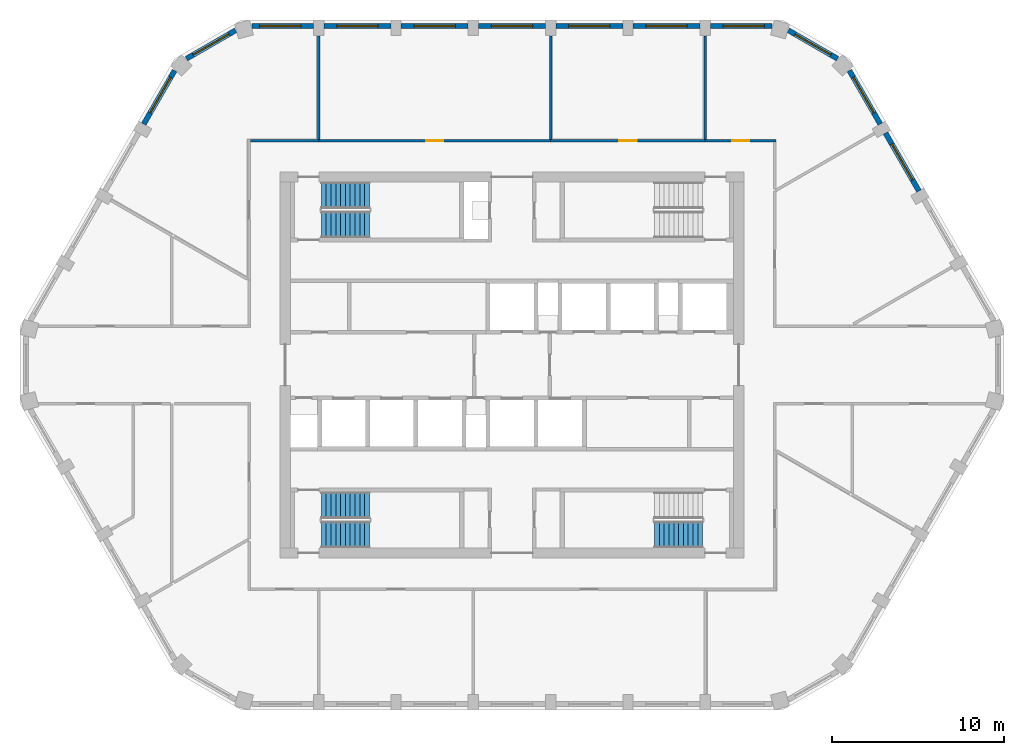
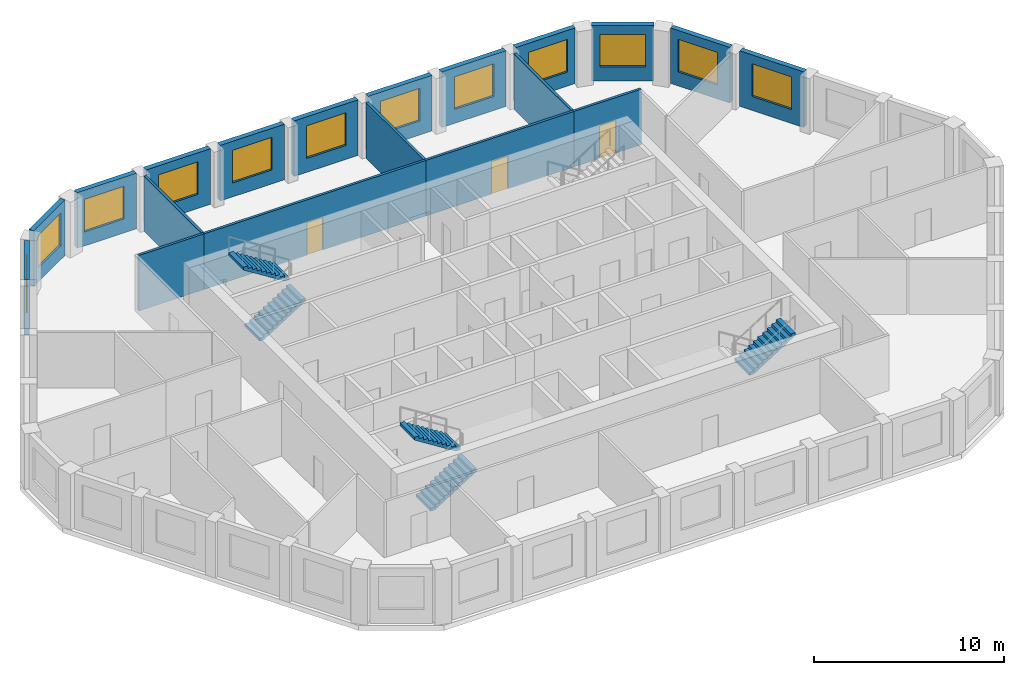
# One storey, part 6 of 10: 19 walls, 12 windows, 5 stair flights, 3 doors, 15 openings, 3 elements without a shape of their own.
"""IFC4 building model written with IfcOpenShell, lengths in metres."""

from ifc_helpers import new_model, si_unit, direction, frame, frame_2d, origin, place, context, subcontext, project, spatial, polyline, rectangle, outline, extrude, material, layer, layer_set, type_object, element, fill, aggregate, save


model = new_model("IFC4")

# Units and contexts
model_context = context("Model", 3, precision=1e-05, world=origin(), true_north=direction((0.0, 1.0)))
body_context = subcontext(model_context, "Body", "Model", "MODEL_VIEW")
ifc_project = project(units=[si_unit("LENGTHUNIT", "METRE"), si_unit("AREAUNIT", "SQUARE_METRE"), si_unit("VOLUMEUNIT", "CUBIC_METRE"), si_unit("PLANEANGLEUNIT", "RADIAN"), si_unit("MASSUNIT", "GRAM", prefix="KILO")], contexts=[model_context])

# Site, building, storey
site_placement = place(None, origin())
site = spatial("IfcSite", under=ifc_project, at=site_placement, CompositionType="ELEMENT")
building_placement = place(site_placement, origin())
building = spatial("IfcBuilding", under=site, at=building_placement, Name="Dhurran Vertical Campus", CompositionType="ELEMENT")
storey_placement = place(building_placement, frame((0.0, 0.0, 302.10009765625)))
storey = spatial("IfcBuildingStorey", under=building, at=storey_placement, Name="L75", CompositionType="ELEMENT", Elevation=302.10009765625)

# Wall, opening, window
ifc_material_1 = material(Name="Precast concrete C50/60", Category="concrete")
ifc_layer_1 = layer(ifc_material_1, 0.300048828125)
ifc_layer_set_1 = layer_set([ifc_layer_1], Name="Precast concrete C50/60")
wall_type_1 = type_object("IfcWallType", Name="Precast spandrel wall 300", PredefinedType="SOLIDWALL", material=ifc_layer_set_1)
wall_1_placement = place(storey_placement, frame((23.69384765625, 10.12939453125, 0.0), z_axis=(0.0, 0.0, 1.0), x_axis=(-0.499984428715, 0.866034393683, 0.0)))
wall_1 = element("IfcWall", 1, at=wall_1_placement, inside=storey, type_object=wall_type_1, Name="EW1 L75.15", PredefinedType="SOLIDWALL", context=body_context, shape_type="SweptSolid", body=[
    extrude(rectangle(XDim=3.89892578125, YDim=0.300048828125, at=frame_2d((1.949462890625, 0.0))), origin(), (0.0, 0.0, 1.0), 3.574951171875),
])
opening_1_placement = place(wall_1_placement, frame((0.74951171875, 0.0, 0.89990234375)))
opening_1 = element("IfcOpeningElement", 2, at=opening_1_placement, cuts=wall_1, Name="Opening WT1", PredefinedType="OPENING", context=body_context, shape_type="SweptSolid", body=[
    extrude(rectangle(XDim=2.39990234375, YDim=2.10009765625, at=frame_2d((1.199951171875, 1.050048828125))), frame((0.0, 0.159912109375, 0.0), z_axis=(0.0, -1.0, 0.0), x_axis=(1.0, 0.0, 0.0)), (0.0, 0.0, 1.0), 0.320068359375),
])
ifc_material_2 = material(Name="Aluminium frame with solar-control glass", Category="aluminium")
window_type = type_object("IfcWindowType", Name="Punched window 2400 x 2100", PartitioningType="SINGLE_PANEL", PredefinedType="WINDOW", material=ifc_material_2)
window_1_placement = place(opening_1_placement, origin())
window_1 = element("IfcWindow", 3, at=window_1_placement, inside=storey, type_object=window_type, Name="WT1 L75.15", OverallHeight=2.10009765625, OverallWidth=2.39990234375, PartitioningType="SINGLE_PANEL", PredefinedType="WINDOW", context=body_context, shape_type="SweptSolid", body=[
    extrude(rectangle(XDim=2.39990234375, YDim=2.10009765625, at=frame_2d((1.199951171875, 1.050048828125))), frame((0.0, 0.030029296875, 0.0), z_axis=(0.0, -1.0, 0.0), x_axis=(1.0, 0.0, 0.0)), (0.0, 0.0, 1.0), 0.06005859375),
])
fill(opening_1, window_1)

wall_2_placement = place(storey_placement, frame((21.44384765625, 14.026611328125, 0.0), z_axis=(0.0, 0.0, 1.0), x_axis=(-0.50001992892, 0.866013897511, 0.0)))
wall_2 = element("IfcWall", 4, at=wall_2_placement, inside=storey, type_object=wall_type_1, Name="EW1 L75.16", PredefinedType="SOLIDWALL", context=body_context, shape_type="SweptSolid", body=[
    extrude(rectangle(XDim=3.599365234375, YDim=0.300048828125, at=frame_2d((1.7998046875, 0.0))), origin(), (0.0, 0.0, 1.0), 3.574951171875),
])
opening_2_placement = place(wall_2_placement, frame((0.74951171875, 0.0, 0.89990234375)))
opening_2 = element("IfcOpeningElement", 5, at=opening_2_placement, cuts=wall_2, Name="Opening WT1", PredefinedType="OPENING", context=body_context, shape_type="SweptSolid", body=[
    extrude(rectangle(XDim=2.39990234375, YDim=2.10009765625, at=frame_2d((1.199951171875, 1.050048828125))), frame((0.0, 0.159912109375, 0.0), z_axis=(0.0, -1.0, 0.0), x_axis=(1.0, 0.0, 0.0)), (0.0, 0.0, 1.0), 0.320068359375),
])
window_2_placement = place(opening_2_placement, origin())
window_2 = element("IfcWindow", 6, at=window_2_placement, inside=storey, type_object=window_type, Name="WT1 L75.16", OverallHeight=2.10009765625, OverallWidth=2.39990234375, PartitioningType="SINGLE_PANEL", PredefinedType="WINDOW", context=body_context, shape_type="SweptSolid", body=[
    extrude(rectangle(XDim=2.39990234375, YDim=2.10009765625, at=frame_2d((1.199951171875, 1.050048828125))), frame((0.0, 0.030029296875, 0.0), z_axis=(0.0, -1.0, 0.0), x_axis=(1.0, 0.0, 0.0)), (0.0, 0.0, 1.0), 0.06005859375),
])
fill(opening_2, window_2)

wall_3_placement = place(storey_placement, frame((18.952392578125, 17.83544921875, 0.0), z_axis=(0.0, 0.0, 1.0), x_axis=(-0.866021716278, 0.500006386895, 0.0)))
wall_3 = element("IfcWall", 7, at=wall_3_placement, inside=storey, type_object=wall_type_1, Name="EW1 L75.17", PredefinedType="SOLIDWALL", context=body_context, shape_type="SweptSolid", body=[
    extrude(rectangle(XDim=3.2998046875, YDim=0.300048828125, at=frame_2d((1.64990234375, 0.0))), origin(), (0.0, 0.0, 1.0), 3.574951171875),
])
opening_3_placement = place(wall_3_placement, frame((0.449951171875, 0.0, 0.89990234375)))
opening_3 = element("IfcOpeningElement", 8, at=opening_3_placement, cuts=wall_3, Name="Opening WT1", PredefinedType="OPENING", context=body_context, shape_type="SweptSolid", body=[
    extrude(rectangle(XDim=2.39990234375, YDim=2.10009765625, at=frame_2d((1.199951171875, 1.050048828125))), frame((0.0, 0.159912109375, 0.0), z_axis=(0.0, -1.0, 0.0), x_axis=(1.0, 0.0, 0.0)), (0.0, 0.0, 1.0), 0.320068359375),
])
window_3_placement = place(opening_3_placement, origin())
window_3 = element("IfcWindow", 9, at=window_3_placement, inside=storey, type_object=window_type, Name="WT1 L75.17", OverallHeight=2.10009765625, OverallWidth=2.39990234375, PartitioningType="SINGLE_PANEL", PredefinedType="WINDOW", context=body_context, shape_type="SweptSolid", body=[
    extrude(rectangle(XDim=2.39990234375, YDim=2.10009765625, at=frame_2d((1.199951171875, 1.050048828125))), frame((0.0, 0.030029296875, 0.0), z_axis=(0.0, -1.0, 0.0), x_axis=(1.0, 0.0, 0.0)), (0.0, 0.0, 1.0), 0.06005859375),
])
fill(opening_3, window_3)

wall_4_placement = place(storey_placement, frame((15.14990234375, 19.738525390625, 0.0), z_axis=(0.0, 0.0, 1.0), x_axis=(-1.0, 0.0, 0.0)))
wall_4 = element("IfcWall", 10, at=wall_4_placement, inside=storey, type_object=wall_type_1, Name="EW1 L75.18", PredefinedType="SOLIDWALL", context=body_context, shape_type="SweptSolid", body=[
    extrude(rectangle(XDim=3.599365234375, YDim=0.300048828125, at=frame_2d((1.7998046875, 0.0))), origin(), (0.0, 0.0, 1.0), 3.574951171875),
])
opening_4_placement = place(wall_4_placement, frame((0.449951171875, 0.0, 0.89990234375)))
opening_4 = element("IfcOpeningElement", 11, at=opening_4_placement, cuts=wall_4, Name="Opening WT1", PredefinedType="OPENING", context=body_context, shape_type="SweptSolid", body=[
    extrude(rectangle(XDim=2.39990234375, YDim=2.10009765625, at=frame_2d((1.199951171875, 1.050048828125))), frame((0.0, 0.159912109375, 0.0), z_axis=(0.0, -1.0, 0.0), x_axis=(1.0, 0.0, 0.0)), (0.0, 0.0, 1.0), 0.320068359375),
])
window_4_placement = place(opening_4_placement, origin())
window_4 = element("IfcWindow", 12, at=window_4_placement, inside=storey, type_object=window_type, Name="WT1 L75.18", OverallHeight=2.10009765625, OverallWidth=2.39990234375, PartitioningType="SINGLE_PANEL", PredefinedType="WINDOW", context=body_context, shape_type="SweptSolid", body=[
    extrude(rectangle(XDim=2.39990234375, YDim=2.10009765625, at=frame_2d((1.199951171875, 1.050048828125))), frame((0.0, 0.030029296875, 0.0), z_axis=(0.0, -1.0, 0.0), x_axis=(1.0, 0.0, 0.0)), (0.0, 0.0, 1.0), 0.06005859375),
])
fill(opening_4, window_4)

wall_5_placement = place(storey_placement, frame((10.949462890625, 19.738525390625, 0.0), z_axis=(0.0, 0.0, 1.0), x_axis=(-1.0, 0.0, 0.0)))
wall_5 = element("IfcWall", 13, at=wall_5_placement, inside=storey, type_object=wall_type_1, Name="EW1 L75.19", PredefinedType="SOLIDWALL", context=body_context, shape_type="SweptSolid", body=[
    extrude(rectangle(XDim=3.89892578125, YDim=0.300048828125, at=frame_2d((1.949462890625, 0.0))), origin(), (0.0, 0.0, 1.0), 3.574951171875),
])
opening_5_placement = place(wall_5_placement, frame((0.74951171875, 0.0, 0.89990234375)))
opening_5 = element("IfcOpeningElement", 14, at=opening_5_placement, cuts=wall_5, Name="Opening WT1", PredefinedType="OPENING", context=body_context, shape_type="SweptSolid", body=[
    extrude(rectangle(XDim=2.39990234375, YDim=2.10009765625, at=frame_2d((1.199951171875, 1.050048828125))), frame((0.0, 0.159912109375, 0.0), z_axis=(0.0, -1.0, 0.0), x_axis=(1.0, 0.0, 0.0)), (0.0, 0.0, 1.0), 0.320068359375),
])
window_5_placement = place(opening_5_placement, origin())
window_5 = element("IfcWindow", 15, at=window_5_placement, inside=storey, type_object=window_type, Name="WT1 L75.19", OverallHeight=2.10009765625, OverallWidth=2.39990234375, PartitioningType="SINGLE_PANEL", PredefinedType="WINDOW", context=body_context, shape_type="SweptSolid", body=[
    extrude(rectangle(XDim=2.39990234375, YDim=2.10009765625, at=frame_2d((1.199951171875, 1.050048828125))), frame((0.0, 0.030029296875, 0.0), z_axis=(0.0, -1.0, 0.0), x_axis=(1.0, 0.0, 0.0)), (0.0, 0.0, 1.0), 0.06005859375),
])
fill(opening_5, window_5)

wall_6_placement = place(storey_placement, frame((6.449462890625, 19.738525390625, 0.0), z_axis=(0.0, 0.0, 1.0), x_axis=(-1.0, 0.0, 0.0)))
wall_6 = element("IfcWall", 16, at=wall_6_placement, inside=storey, type_object=wall_type_1, Name="EW1 L75.20", PredefinedType="SOLIDWALL", context=body_context, shape_type="SweptSolid", body=[
    extrude(rectangle(XDim=3.89892578125, YDim=0.300048828125, at=frame_2d((1.949462890625, 0.0))), origin(), (0.0, 0.0, 1.0), 3.574951171875),
])
opening_6_placement = place(wall_6_placement, frame((0.74951171875, 0.0, 0.89990234375)))
opening_6 = element("IfcOpeningElement", 17, at=opening_6_placement, cuts=wall_6, Name="Opening WT1", PredefinedType="OPENING", context=body_context, shape_type="SweptSolid", body=[
    extrude(rectangle(XDim=2.39990234375, YDim=2.10009765625, at=frame_2d((1.199951171875, 1.050048828125))), frame((0.0, 0.159912109375, 0.0), z_axis=(0.0, -1.0, 0.0), x_axis=(1.0, 0.0, 0.0)), (0.0, 0.0, 1.0), 0.320068359375),
])
window_6_placement = place(opening_6_placement, origin())
window_6 = element("IfcWindow", 18, at=window_6_placement, inside=storey, type_object=window_type, Name="WT1 L75.20", OverallHeight=2.10009765625, OverallWidth=2.39990234375, PartitioningType="SINGLE_PANEL", PredefinedType="WINDOW", context=body_context, shape_type="SweptSolid", body=[
    extrude(rectangle(XDim=2.39990234375, YDim=2.10009765625, at=frame_2d((1.199951171875, 1.050048828125))), frame((0.0, 0.030029296875, 0.0), z_axis=(0.0, -1.0, 0.0), x_axis=(1.0, 0.0, 0.0)), (0.0, 0.0, 1.0), 0.06005859375),
])
fill(opening_6, window_6)

wall_7_placement = place(storey_placement, frame((1.949462890625, 19.738525390625, 0.0), z_axis=(0.0, 0.0, 1.0), x_axis=(-1.0, 0.0, 0.0)))
wall_7 = element("IfcWall", 19, at=wall_7_placement, inside=storey, type_object=wall_type_1, Name="EW1 L75.21", PredefinedType="SOLIDWALL", context=body_context, shape_type="SweptSolid", body=[
    extrude(rectangle(XDim=3.89892578125, YDim=0.300048828125, at=frame_2d((1.949462890625, 0.0))), origin(), (0.0, 0.0, 1.0), 3.574951171875),
])
opening_7_placement = place(wall_7_placement, frame((0.74951171875, 0.0, 0.89990234375)))
opening_7 = element("IfcOpeningElement", 20, at=opening_7_placement, cuts=wall_7, Name="Opening WT1", PredefinedType="OPENING", context=body_context, shape_type="SweptSolid", body=[
    extrude(rectangle(XDim=2.39990234375, YDim=2.10009765625, at=frame_2d((1.199951171875, 1.050048828125))), frame((0.0, 0.159912109375, 0.0), z_axis=(0.0, -1.0, 0.0), x_axis=(1.0, 0.0, 0.0)), (0.0, 0.0, 1.0), 0.320068359375),
])
window_7_placement = place(opening_7_placement, origin())
window_7 = element("IfcWindow", 21, at=window_7_placement, inside=storey, type_object=window_type, Name="WT1 L75.21", OverallHeight=2.10009765625, OverallWidth=2.39990234375, PartitioningType="SINGLE_PANEL", PredefinedType="WINDOW", context=body_context, shape_type="SweptSolid", body=[
    extrude(rectangle(XDim=2.39990234375, YDim=2.10009765625, at=frame_2d((1.199951171875, 1.050048828125))), frame((0.0, 0.030029296875, 0.0), z_axis=(0.0, -1.0, 0.0), x_axis=(1.0, 0.0, 0.0)), (0.0, 0.0, 1.0), 0.06005859375),
])
fill(opening_7, window_7)

wall_8_placement = place(storey_placement, frame((-2.550537109375, 19.738525390625, 0.0), z_axis=(0.0, 0.0, 1.0), x_axis=(-1.0, 0.0, 0.0)))
wall_8 = element("IfcWall", 22, at=wall_8_placement, inside=storey, type_object=wall_type_1, Name="EW1 L75.22", PredefinedType="SOLIDWALL", context=body_context, shape_type="SweptSolid", body=[
    extrude(rectangle(XDim=3.89892578125, YDim=0.300048828125, at=frame_2d((1.949462890625, 0.0))), origin(), (0.0, 0.0, 1.0), 3.574951171875),
])
opening_8_placement = place(wall_8_placement, frame((0.74951171875, 0.0, 0.89990234375)))
opening_8 = element("IfcOpeningElement", 23, at=opening_8_placement, cuts=wall_8, Name="Opening WT1", PredefinedType="OPENING", context=body_context, shape_type="SweptSolid", body=[
    extrude(rectangle(XDim=2.39990234375, YDim=2.10009765625, at=frame_2d((1.199951171875, 1.050048828125))), frame((0.0, 0.159912109375, 0.0), z_axis=(0.0, -1.0, 0.0), x_axis=(1.0, 0.0, 0.0)), (0.0, 0.0, 1.0), 0.320068359375),
])
window_8_placement = place(opening_8_placement, origin())
window_8 = element("IfcWindow", 24, at=window_8_placement, inside=storey, type_object=window_type, Name="WT1 L75.22", OverallHeight=2.10009765625, OverallWidth=2.39990234375, PartitioningType="SINGLE_PANEL", PredefinedType="WINDOW", context=body_context, shape_type="SweptSolid", body=[
    extrude(rectangle(XDim=2.39990234375, YDim=2.10009765625, at=frame_2d((1.199951171875, 1.050048828125))), frame((0.0, 0.030029296875, 0.0), z_axis=(0.0, -1.0, 0.0), x_axis=(1.0, 0.0, 0.0)), (0.0, 0.0, 1.0), 0.06005859375),
])
fill(opening_8, window_8)

wall_9_placement = place(storey_placement, frame((-7.050537109375, 19.738525390625, 0.0), z_axis=(0.0, 0.0, 1.0), x_axis=(-1.0, 0.0, 0.0)))
wall_9 = element("IfcWall", 25, at=wall_9_placement, inside=storey, type_object=wall_type_1, Name="EW1 L75.23", PredefinedType="SOLIDWALL", context=body_context, shape_type="SweptSolid", body=[
    extrude(rectangle(XDim=3.89892578125, YDim=0.300048828125, at=frame_2d((1.949462890625, 0.0))), origin(), (0.0, 0.0, 1.0), 3.574951171875),
])
opening_9_placement = place(wall_9_placement, frame((0.74951171875, 0.0, 0.89990234375)))
opening_9 = element("IfcOpeningElement", 26, at=opening_9_placement, cuts=wall_9, Name="Opening WT1", PredefinedType="OPENING", context=body_context, shape_type="SweptSolid", body=[
    extrude(rectangle(XDim=2.39990234375, YDim=2.10009765625, at=frame_2d((1.199951171875, 1.050048828125))), frame((0.0, 0.159912109375, 0.0), z_axis=(0.0, -1.0, 0.0), x_axis=(1.0, 0.0, 0.0)), (0.0, 0.0, 1.0), 0.320068359375),
])
window_9_placement = place(opening_9_placement, origin())
window_9 = element("IfcWindow", 27, at=window_9_placement, inside=storey, type_object=window_type, Name="WT1 L75.23", OverallHeight=2.10009765625, OverallWidth=2.39990234375, PartitioningType="SINGLE_PANEL", PredefinedType="WINDOW", context=body_context, shape_type="SweptSolid", body=[
    extrude(rectangle(XDim=2.39990234375, YDim=2.10009765625, at=frame_2d((1.199951171875, 1.050048828125))), frame((0.0, 0.030029296875, 0.0), z_axis=(0.0, -1.0, 0.0), x_axis=(1.0, 0.0, 0.0)), (0.0, 0.0, 1.0), 0.06005859375),
])
fill(opening_9, window_9)

wall_10_placement = place(storey_placement, frame((-11.550537109375, 19.738525390625, 0.0), z_axis=(0.0, 0.0, 1.0), x_axis=(-1.0, 0.0, 0.0)))
wall_10 = element("IfcWall", 28, at=wall_10_placement, inside=storey, type_object=wall_type_1, Name="EW1 L75.24", PredefinedType="SOLIDWALL", context=body_context, shape_type="SweptSolid", body=[
    extrude(rectangle(XDim=3.599365234375, YDim=0.300048828125, at=frame_2d((1.7998046875, 0.0))), origin(), (0.0, 0.0, 1.0), 3.574951171875),
])
opening_10_placement = place(wall_10_placement, frame((0.74951171875, 0.0, 0.89990234375)))
opening_10 = element("IfcOpeningElement", 29, at=opening_10_placement, cuts=wall_10, Name="Opening WT1", PredefinedType="OPENING", context=body_context, shape_type="SweptSolid", body=[
    extrude(rectangle(XDim=2.39990234375, YDim=2.10009765625, at=frame_2d((1.199951171875, 1.050048828125))), frame((0.0, 0.159912109375, 0.0), z_axis=(0.0, -1.0, 0.0), x_axis=(1.0, 0.0, 0.0)), (0.0, 0.0, 1.0), 0.320068359375),
])
window_10_placement = place(opening_10_placement, origin())
window_10 = element("IfcWindow", 30, at=window_10_placement, inside=storey, type_object=window_type, Name="WT1 L75.24", OverallHeight=2.10009765625, OverallWidth=2.39990234375, PartitioningType="SINGLE_PANEL", PredefinedType="WINDOW", context=body_context, shape_type="SweptSolid", body=[
    extrude(rectangle(XDim=2.39990234375, YDim=2.10009765625, at=frame_2d((1.199951171875, 1.050048828125))), frame((0.0, 0.030029296875, 0.0), z_axis=(0.0, -1.0, 0.0), x_axis=(1.0, 0.0, 0.0)), (0.0, 0.0, 1.0), 0.06005859375),
])
fill(opening_10, window_10)

wall_11_placement = place(storey_placement, frame((-16.0947265625, 19.4853515625, 0.0), z_axis=(0.0, 0.0, 1.0), x_axis=(-0.866021716278, -0.500006386895, 0.0)))
wall_11 = element("IfcWall", 31, at=wall_11_placement, inside=storey, type_object=wall_type_1, Name="EW1 L75.25", PredefinedType="SOLIDWALL", context=body_context, shape_type="SweptSolid", body=[
    extrude(rectangle(XDim=3.2998046875, YDim=0.300048828125, at=frame_2d((1.64990234375, 0.0))), origin(), (0.0, 0.0, 1.0), 3.574951171875),
])
opening_11_placement = place(wall_11_placement, frame((0.449951171875, 0.0, 0.89990234375)))
opening_11 = element("IfcOpeningElement", 32, at=opening_11_placement, cuts=wall_11, Name="Opening WT1", PredefinedType="OPENING", context=body_context, shape_type="SweptSolid", body=[
    extrude(rectangle(XDim=2.39990234375, YDim=2.10009765625, at=frame_2d((1.199951171875, 1.050048828125))), frame((0.0, 0.159912109375, 0.0), z_axis=(0.0, -1.0, 0.0), x_axis=(1.0, 0.0, 0.0)), (0.0, 0.0, 1.0), 0.320068359375),
])
window_11_placement = place(opening_11_placement, origin())
window_11 = element("IfcWindow", 33, at=window_11_placement, inside=storey, type_object=window_type, Name="WT1 L75.25", OverallHeight=2.10009765625, OverallWidth=2.39990234375, PartitioningType="SINGLE_PANEL", PredefinedType="WINDOW", context=body_context, shape_type="SweptSolid", body=[
    extrude(rectangle(XDim=2.39990234375, YDim=2.10009765625, at=frame_2d((1.199951171875, 1.050048828125))), frame((0.0, 0.030029296875, 0.0), z_axis=(0.0, -1.0, 0.0), x_axis=(1.0, 0.0, 0.0)), (0.0, 0.0, 1.0), 0.06005859375),
])
fill(opening_11, window_11)

wall_12_placement = place(storey_placement, frame((-19.64404296875, 17.143798828125, 0.0), z_axis=(0.0, 0.0, 1.0), x_axis=(-0.50001992892, -0.866013897511, 0.0)))
wall_12 = element("IfcWall", 34, at=wall_12_placement, inside=storey, type_object=wall_type_1, Name="EW1 L75.26", PredefinedType="SOLIDWALL", context=body_context, shape_type="SweptSolid", body=[
    extrude(rectangle(XDim=3.599365234375, YDim=0.300048828125, at=frame_2d((1.7998046875, 0.0))), origin(), (0.0, 0.0, 1.0), 3.574951171875),
])
opening_12_placement = place(wall_12_placement, frame((0.449951171875, 0.0, 0.89990234375)))
opening_12 = element("IfcOpeningElement", 35, at=opening_12_placement, cuts=wall_12, Name="Opening WT1", PredefinedType="OPENING", context=body_context, shape_type="SweptSolid", body=[
    extrude(rectangle(XDim=2.39990234375, YDim=2.10009765625, at=frame_2d((1.199951171875, 1.050048828125))), frame((0.0, 0.159912109375, 0.0), z_axis=(0.0, -1.0, 0.0), x_axis=(1.0, 0.0, 0.0)), (0.0, 0.0, 1.0), 0.320068359375),
])
window_12_placement = place(opening_12_placement, origin())
window_12 = element("IfcWindow", 36, at=window_12_placement, inside=storey, type_object=window_type, Name="WT1 L75.26", OverallHeight=2.10009765625, OverallWidth=2.39990234375, PartitioningType="SINGLE_PANEL", PredefinedType="WINDOW", context=body_context, shape_type="SweptSolid", body=[
    extrude(rectangle(XDim=2.39990234375, YDim=2.10009765625, at=frame_2d((1.199951171875, 1.050048828125))), frame((0.0, 0.030029296875, 0.0), z_axis=(0.0, -1.0, 0.0), x_axis=(1.0, 0.0, 0.0)), (0.0, 0.0, 1.0), 0.06005859375),
])
fill(opening_12, window_12)

# Wall
ifc_material_3 = material(Name="Gypsum board corridor wall on steel studs", Category="steel")
ifc_layer_2 = layer(ifc_material_3, 0.14990234375)
ifc_layer_set_2 = layer_set([ifc_layer_2], Name="Gypsum board corridor wall on steel studs")
wall_type_2 = type_object("IfcWallType", Name="fl-CW-150 corridor wall", PredefinedType="PARTITIONING", material=ifc_layer_set_2)
wall_13_placement = place(storey_placement, frame((-11.25, 13.050048828125, 0.0), z_axis=(0.0, 0.0, 1.0), x_axis=(-1.0, 0.0, 0.0)))
element("IfcWall", 37, at=wall_13_placement, inside=storey, type_object=wall_type_2, Name="Partition 75-19", PredefinedType="PARTITIONING", context=body_context, shape_type="SweptSolid", body=[
    extrude(rectangle(XDim=3.97509765625, YDim=0.14990234375, at=frame_2d((1.987548828125, 0.0))), origin(), (0.0, 0.0, 1.0), 3.574951171875),
])

# Wall, opening, door
wall_14_placement = place(storey_placement, frame((2.25, 13.050048828125, 0.0), z_axis=(0.0, 0.0, 1.0), x_axis=(-1.0, 0.0, 0.0)))
wall_14 = element("IfcWall", 38, at=wall_14_placement, inside=storey, type_object=wall_type_2, Name="Partition 75-23", PredefinedType="PARTITIONING", context=body_context, shape_type="SweptSolid", body=[
    extrude(rectangle(XDim=13.5, YDim=0.14990234375, at=frame_2d((6.75, 0.0))), origin(), (0.0, 0.0, 1.0), 3.574951171875),
])
opening_13_placement = place(wall_14_placement, frame((6.25, 0.0, 0.0)))
opening_13 = element("IfcOpeningElement", 39, at=opening_13_placement, cuts=wall_14, Name="Opening T22.09", PredefinedType="OPENING", context=body_context, shape_type="SweptSolid", body=[
    extrude(rectangle(XDim=1.0, YDim=2.10009765625, at=frame_2d((0.5, 1.050048828125))), frame((0.0, 0.0849609375, 0.0), z_axis=(0.0, -1.0, 0.0), x_axis=(1.0, 0.0, 0.0)), (0.0, 0.0, 1.0), 0.169921875),
])
ifc_material_4 = material(Name="Solid-core timber door set, fire-rated", Category="wood")
door_type = type_object("IfcDoorType", Name="fl-D-1000x2100", OperationType="SINGLE_SWING_LEFT", PredefinedType="DOOR", material=ifc_material_4)
door_1_placement = place(opening_13_placement, origin())
door_1 = element("IfcDoor", 40, at=door_1_placement, inside=storey, type_object=door_type, Name="Door 75.09", OperationType="SINGLE_SWING_RIGHT", OverallHeight=2.10009765625, OverallWidth=1.0, PredefinedType="DOOR", context=body_context, shape_type="SweptSolid", body=[
    extrude(rectangle(XDim=1.0, YDim=2.10009765625, at=frame_2d((0.5, 1.050048828125))), frame((0.0, 0.02490234375, 0.0), z_axis=(0.0, -1.0, 0.0), x_axis=(1.0, 0.0, 0.0)), (0.0, 0.0, 1.0), 0.050048828125),
])
fill(opening_13, door_1)

wall_15_placement = place(storey_placement, frame((11.25, 13.050048828125, 0.0), z_axis=(0.0, 0.0, 1.0), x_axis=(-1.0, 0.0, 0.0)))
wall_15 = element("IfcWall", 41, at=wall_15_placement, inside=storey, type_object=wall_type_2, Name="Partition 75-27", PredefinedType="PARTITIONING", context=body_context, shape_type="SweptSolid", body=[
    extrude(rectangle(XDim=9.0, YDim=0.14990234375, at=frame_2d((4.5, 0.0))), origin(), (0.0, 0.0, 1.0), 3.574951171875),
])
opening_14_placement = place(wall_15_placement, frame((4.0, 0.0, 0.0)))
opening_14 = element("IfcOpeningElement", 42, at=opening_14_placement, cuts=wall_15, Name="Opening T22.11", PredefinedType="OPENING", context=body_context, shape_type="SweptSolid", body=[
    extrude(rectangle(XDim=1.0, YDim=2.10009765625, at=frame_2d((0.5, 1.050048828125))), frame((0.0, 0.0849609375, 0.0), z_axis=(0.0, -1.0, 0.0), x_axis=(1.0, 0.0, 0.0)), (0.0, 0.0, 1.0), 0.169921875),
])
door_2_placement = place(opening_14_placement, origin())
door_2 = element("IfcDoor", 43, at=door_2_placement, inside=storey, type_object=door_type, Name="Door 75.11", OperationType="SINGLE_SWING_LEFT", OverallHeight=2.10009765625, OverallWidth=1.0, PredefinedType="DOOR", context=body_context, shape_type="SweptSolid", body=[
    extrude(rectangle(XDim=1.0, YDim=2.10009765625, at=frame_2d((0.5, 1.050048828125))), frame((0.0, 0.02490234375, 0.0), z_axis=(0.0, -1.0, 0.0), x_axis=(1.0, 0.0, 0.0)), (0.0, 0.0, 1.0), 0.050048828125),
])
fill(opening_14, door_2)

wall_16_placement = place(storey_placement, frame((15.375, 13.050048828125, 0.0), z_axis=(0.0, 0.0, 1.0), x_axis=(-1.0, 0.0, 0.0)))
wall_16 = element("IfcWall", 44, at=wall_16_placement, inside=storey, type_object=wall_type_2, Name="Partition 75-31", PredefinedType="PARTITIONING", context=body_context, shape_type="SweptSolid", body=[
    extrude(rectangle(XDim=4.125, YDim=0.14990234375, at=frame_2d((2.0625, 0.0))), origin(), (0.0, 0.0, 1.0), 3.574951171875),
])
opening_15_placement = place(wall_16_placement, frame((1.5625, 0.0, 0.0)))
opening_15 = element("IfcOpeningElement", 45, at=opening_15_placement, cuts=wall_16, Name="Opening T22.12", PredefinedType="OPENING", context=body_context, shape_type="SweptSolid", body=[
    extrude(rectangle(XDim=1.0, YDim=2.10009765625, at=frame_2d((0.5, 1.050048828125))), frame((0.0, 0.0849609375, 0.0), z_axis=(0.0, -1.0, 0.0), x_axis=(1.0, 0.0, 0.0)), (0.0, 0.0, 1.0), 0.169921875),
])
door_3_placement = place(opening_15_placement, origin())
door_3 = element("IfcDoor", 46, at=door_3_placement, inside=storey, type_object=door_type, Name="Door 75.12", OperationType="SINGLE_SWING_RIGHT", OverallHeight=2.10009765625, OverallWidth=1.0, PredefinedType="DOOR", context=body_context, shape_type="SweptSolid", body=[
    extrude(rectangle(XDim=1.0, YDim=2.10009765625, at=frame_2d((0.5, 1.050048828125))), frame((0.0, 0.02490234375, 0.0), z_axis=(0.0, -1.0, 0.0), x_axis=(1.0, 0.0, 0.0)), (0.0, 0.0, 1.0), 0.050048828125),
])
fill(opening_15, door_3)

# Walls
ifc_material_5 = material(Name="Gypsum board partition on steel studs", Category="steel")
ifc_layer_3 = layer(ifc_material_5, 0.14990234375)
ifc_layer_set_3 = layer_set([ifc_layer_3], Name="Gypsum board partition on steel studs")
wall_type_3 = type_object("IfcWallType", Name="fl-PW-150 fixed partition", PredefinedType="PARTITIONING", material=ifc_layer_set_3)
for number, where, z_axis, x_axis, name in (
    (47, (-11.25, 19.16845703125, 0.0), (0.0, 0.0, 1.0), (0.0, -1.0, 0.0), "Partition 75-22"),
    (48, (2.25, 19.16845703125, 0.0), (0.0, 0.0, 1.0), (0.0, -1.0, 0.0), "Partition 75-26"),
    (49, (11.25, 19.16845703125, 0.0), (0.0, 0.0, 1.0), (0.0, -1.0, 0.0), "Partition 75-30"),
):
    element("IfcWall", number, at=place(storey_placement, frame(where, z_axis=z_axis, x_axis=x_axis)), inside=storey, type_object=wall_type_3, Name=name, PredefinedType="PARTITIONING", context=body_context, shape_type="SweptSolid", body=[
        extrude(rectangle(XDim=6.04345703125, YDim=0.14990234375, at=frame_2d((3.021728515625, 0.0))), origin(), (0.0, 0.0, 1.0), 3.574951171875),
    ])

# Stair, stair flights
ifc_material_6 = material(Name="Concrete C40/50", Category="concrete")
stair_type = type_object("IfcStairType", Name="co-ST-CORE", PredefinedType="HALF_TURN_STAIR", material=ifc_material_6)
stair_1_placement = place(storey_placement, origin())
stair_1 = element("IfcStair", 50, at=stair_1_placement, inside=storey, type_object=stair_type, Name="L75 Protected exit stair ST1", PredefinedType="HALF_TURN_STAIR")
ifc_material_7 = material(Name="Concrete C40/50", Category="concrete")
stair_flight_type = type_object("IfcStairFlightType", Name="co-SFL-RC", PredefinedType="STRAIGHT", material=ifc_material_7)
stair_flight_1_placement = place(storey_placement, frame((-11.10009765625, 8.175048828125, 0.0), z_axis=(0.0, 0.0, 1.0), x_axis=(1.0, 0.0, 0.0)))
stair_flight_1 = element("IfcStairFlight", 51, at=stair_flight_1_placement, type_object=stair_flight_type, Name="ST1 flight 1", NumberOfRisers=11, NumberOfTreads=10, PredefinedType="STRAIGHT", RiserHeight=0.177272727, TreadLength=0.28, context=body_context, shape_type="SweptSolid", body=[
    extrude(outline(polyline([(0.0, 0.0), (0.0, 0.17724609375), (0.280029296875, 0.17724609375), (0.280029296875, 0.3544921875), (0.56005859375, 0.3544921875), (0.56005859375, 0.53173828125), (0.840087890625, 0.53173828125), (0.840087890625, 0.708984375), (1.1201171875, 0.708984375), (1.1201171875, 0.886474609375), (1.39990234375, 0.886474609375), (1.39990234375, 1.063720703125), (1.679931640625, 1.063720703125), (1.679931640625, 1.240966796875), (1.9599609375, 1.240966796875), (1.9599609375, 1.418212890625), (2.239990234375, 1.418212890625), (2.239990234375, 1.595458984375), (2.52001953125, 1.595458984375), (2.52001953125, 1.772705078125), (2.800048828125, 1.772705078125), (2.800048828125, 1.949951171875), (2.800048828125, 1.59521484375), (0.2802734375, 0.0), (0.0, 0.0)])), frame((0.0, 0.77490234375, 0.0), z_axis=(0.0, -1.0, 0.0), x_axis=(1.0, 0.0, 0.0)), (0.0, 0.0, 1.0), 1.550048828125),
])
stair_flight_2_placement = place(storey_placement, frame((-8.300048828125, 9.875, 1.949951171875), z_axis=(0.0, 0.0, 1.0), x_axis=(-1.0, 0.0, 0.0)))
stair_flight_2 = element("IfcStairFlight", 52, at=stair_flight_2_placement, type_object=stair_flight_type, Name="ST1 flight 2", NumberOfRisers=11, NumberOfTreads=10, PredefinedType="STRAIGHT", RiserHeight=0.177272727, TreadLength=0.28, context=body_context, shape_type="SweptSolid", body=[
    extrude(outline(polyline([(0.0, 0.0), (0.0, 0.17724609375), (0.280029296875, 0.17724609375), (0.280029296875, 0.3544921875), (0.56005859375, 0.3544921875), (0.56005859375, 0.53173828125), (0.840087890625, 0.53173828125), (0.840087890625, 0.708984375), (1.1201171875, 0.708984375), (1.1201171875, 0.886474609375), (1.39990234375, 0.886474609375), (1.39990234375, 1.063720703125), (1.679931640625, 1.063720703125), (1.679931640625, 1.240966796875), (1.9599609375, 1.240966796875), (1.9599609375, 1.418212890625), (2.239990234375, 1.418212890625), (2.239990234375, 1.595458984375), (2.52001953125, 1.595458984375), (2.52001953125, 1.772705078125), (2.800048828125, 1.772705078125), (2.800048828125, 1.949951171875), (2.800048828125, 1.59521484375), (0.2802734375, 0.0), (0.0, 0.0)])), frame((0.0, 0.77490234375, 0.0), z_axis=(0.0, -1.0, 0.0), x_axis=(1.0, 0.0, 0.0)), (0.0, 0.0, 1.0), 1.550048828125),
])
aggregate(stair_1, [stair_flight_1, stair_flight_2])

stair_2_placement = place(storey_placement, origin())
stair_2 = element("IfcStair", 53, at=stair_2_placement, inside=storey, type_object=stair_type, Name="L75 Protected exit stair ST3", PredefinedType="HALF_TURN_STAIR")
stair_flight_3_placement = place(storey_placement, frame((-11.10009765625, -9.875, 0.0), z_axis=(0.0, 0.0, 1.0), x_axis=(1.0, 0.0, 0.0)))
stair_flight_3 = element("IfcStairFlight", 54, at=stair_flight_3_placement, type_object=stair_flight_type, Name="ST3 flight 1", NumberOfRisers=11, NumberOfTreads=10, PredefinedType="STRAIGHT", RiserHeight=0.177272727, TreadLength=0.28, context=body_context, shape_type="SweptSolid", body=[
    extrude(outline(polyline([(0.0, 0.0), (0.0, 0.17724609375), (0.280029296875, 0.17724609375), (0.280029296875, 0.3544921875), (0.56005859375, 0.3544921875), (0.56005859375, 0.53173828125), (0.840087890625, 0.53173828125), (0.840087890625, 0.708984375), (1.1201171875, 0.708984375), (1.1201171875, 0.886474609375), (1.39990234375, 0.886474609375), (1.39990234375, 1.063720703125), (1.679931640625, 1.063720703125), (1.679931640625, 1.240966796875), (1.9599609375, 1.240966796875), (1.9599609375, 1.418212890625), (2.239990234375, 1.418212890625), (2.239990234375, 1.595458984375), (2.52001953125, 1.595458984375), (2.52001953125, 1.772705078125), (2.800048828125, 1.772705078125), (2.800048828125, 1.949951171875), (2.800048828125, 1.59521484375), (0.2802734375, 0.0), (0.0, 0.0)])), frame((0.0, 0.77490234375, 0.0), z_axis=(0.0, -1.0, 0.0), x_axis=(1.0, 0.0, 0.0)), (0.0, 0.0, 1.0), 1.550048828125),
])
stair_flight_4_placement = place(storey_placement, frame((-8.300048828125, -8.175048828125, 1.949951171875), z_axis=(0.0, 0.0, 1.0), x_axis=(-1.0, 0.0, 0.0)))
stair_flight_4 = element("IfcStairFlight", 55, at=stair_flight_4_placement, type_object=stair_flight_type, Name="ST3 flight 2", NumberOfRisers=11, NumberOfTreads=10, PredefinedType="STRAIGHT", RiserHeight=0.177272727, TreadLength=0.28, context=body_context, shape_type="SweptSolid", body=[
    extrude(outline(polyline([(0.0, 0.0), (0.0, 0.17724609375), (0.280029296875, 0.17724609375), (0.280029296875, 0.3544921875), (0.56005859375, 0.3544921875), (0.56005859375, 0.53173828125), (0.840087890625, 0.53173828125), (0.840087890625, 0.708984375), (1.1201171875, 0.708984375), (1.1201171875, 0.886474609375), (1.39990234375, 0.886474609375), (1.39990234375, 1.063720703125), (1.679931640625, 1.063720703125), (1.679931640625, 1.240966796875), (1.9599609375, 1.240966796875), (1.9599609375, 1.418212890625), (2.239990234375, 1.418212890625), (2.239990234375, 1.595458984375), (2.52001953125, 1.595458984375), (2.52001953125, 1.772705078125), (2.800048828125, 1.772705078125), (2.800048828125, 1.949951171875), (2.800048828125, 1.59521484375), (0.2802734375, 0.0), (0.0, 0.0)])), frame((0.0, 0.77490234375, 0.0), z_axis=(0.0, -1.0, 0.0), x_axis=(1.0, 0.0, 0.0)), (0.0, 0.0, 1.0), 1.550048828125),
])
aggregate(stair_2, [stair_flight_3, stair_flight_4])

# Stair, stair flight
stair_3_placement = place(storey_placement, origin())
stair_3 = element("IfcStair", 56, at=stair_3_placement, inside=storey, type_object=stair_type, Name="L75 Protected exit stair ST4", PredefinedType="HALF_TURN_STAIR")
stair_flight_5_placement = place(storey_placement, frame((8.300048828125, -9.875, 1.949951171875), z_axis=(0.0, 0.0, 1.0), x_axis=(1.0, 0.0, 0.0)))
stair_flight_5 = element("IfcStairFlight", 57, at=stair_flight_5_placement, type_object=stair_flight_type, Name="ST4 flight 2", NumberOfRisers=11, NumberOfTreads=10, PredefinedType="STRAIGHT", RiserHeight=0.177272727, TreadLength=0.28, context=body_context, shape_type="SweptSolid", body=[
    extrude(outline(polyline([(0.0, 0.0), (0.0, 0.17724609375), (0.280029296875, 0.17724609375), (0.280029296875, 0.3544921875), (0.56005859375, 0.3544921875), (0.56005859375, 0.53173828125), (0.840087890625, 0.53173828125), (0.840087890625, 0.708984375), (1.1201171875, 0.708984375), (1.1201171875, 0.886474609375), (1.39990234375, 0.886474609375), (1.39990234375, 1.063720703125), (1.679931640625, 1.063720703125), (1.679931640625, 1.240966796875), (1.9599609375, 1.240966796875), (1.9599609375, 1.418212890625), (2.239990234375, 1.418212890625), (2.239990234375, 1.595458984375), (2.52001953125, 1.595458984375), (2.52001953125, 1.772705078125), (2.800048828125, 1.772705078125), (2.800048828125, 1.949951171875), (2.800048828125, 1.59521484375), (0.2802734375, 0.0), (0.0, 0.0)])), frame((0.0, 0.77490234375, 0.0), z_axis=(0.0, -1.0, 0.0), x_axis=(1.0, 0.0, 0.0)), (0.0, 0.0, 1.0), 1.550048828125),
])
aggregate(stair_3, [stair_flight_5])

save(model, "model.ifc")
